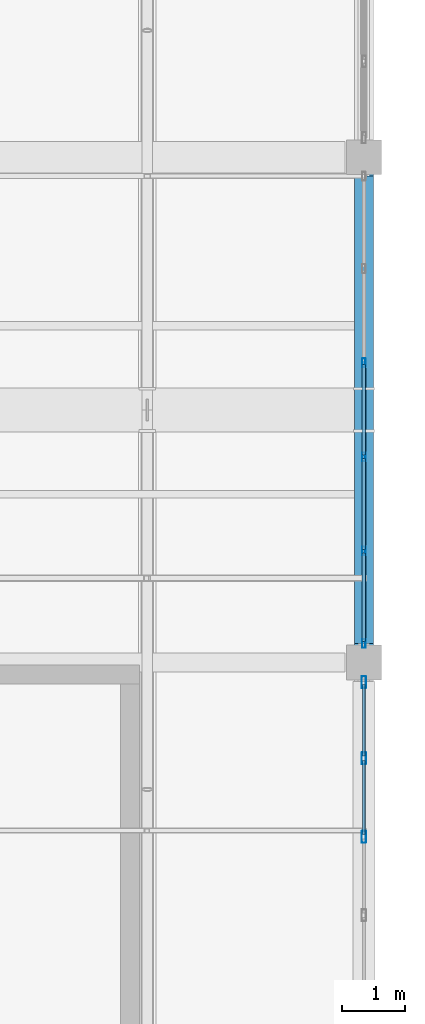
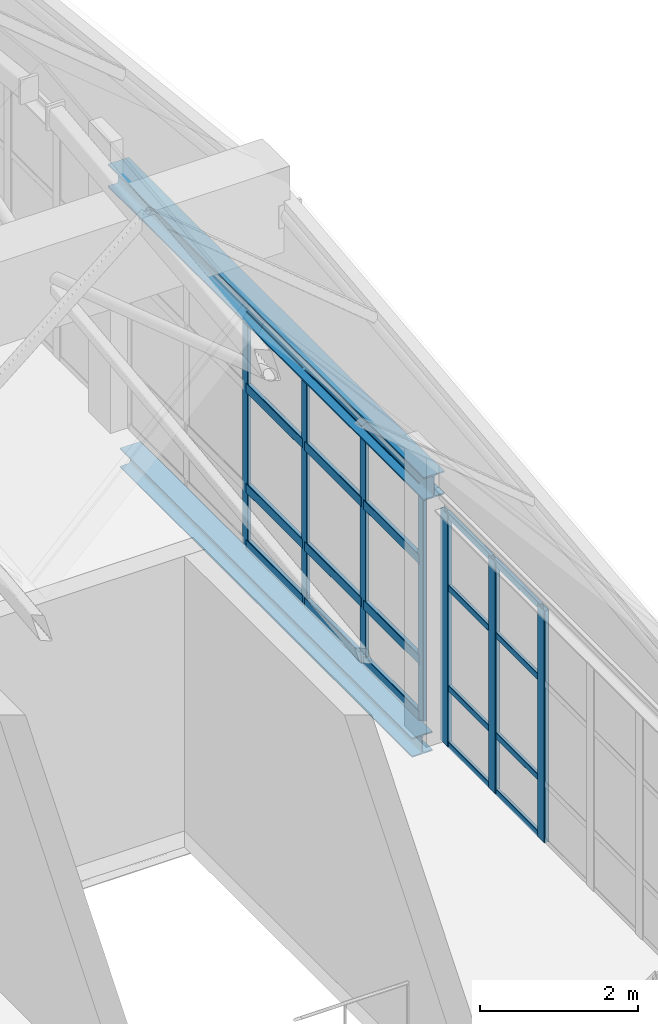
# One storey, part 87 of 183: 27 members, 2 beams, 2 elements without a shape of their own.
"""IFC4 building model written with IfcOpenShell, lengths in metres."""

import ifcopenshell
import ifcopenshell.guid

model = None  # the IFC model being written
_history = None  # IfcOwnerHistory: only IFC2X3 demands one
_inside = {}  # id of a spatial element -> (the spatial element, [elements in it])
_under = {}  # id of a project, library or spatial element -> (it, [spatial elements below it])
_declared = {}  # id of a project -> (the project, [libraries it declares])
_typed = {}  # id of a type object -> (the type object, [elements of that type])
_made_of = {}  # id of a material, layer set ... -> (it, [elements and type objects made of it])


def new_model(schema):
    """Start an empty IFC model of exactly this schema.

    Asked for "IFC4X3", IfcOpenShell would pick the latest addendum, in which some entities
    have other attributes; the version numbers below select the first issue.
    IFC2X3 requires an IfcOwnerHistory on every rooted entity: one is made here for all.
    """
    global model, _history
    if schema == "IFC4X3":
        model = ifcopenshell.file(schema_version=(4, 3, 0, 0))
    else:
        model = ifcopenshell.file(schema=schema)
    _inside.clear()
    _under.clear()
    _declared.clear()
    _typed.clear()
    _made_of.clear()
    _history = None
    if model.schema == "IFC2X3":
        org = make("IfcOrganization", Name="unknown")
        user = make(
            "IfcPersonAndOrganization",
            ThePerson=make("IfcPerson", FamilyName="unknown"),
            TheOrganization=org,
        )
        app = make(
            "IfcApplication",
            ApplicationDeveloper=org,
            Version="unknown",
            ApplicationFullName="unknown",
            ApplicationIdentifier="unknown",
        )
        _history = make(
            "IfcOwnerHistory",
            OwningUser=user,
            OwningApplication=app,
            ChangeAction="ADDED",
            CreationDate=0,
        )
    return model


def make(cls, **values):
    """One entity of the class cls with the attributes given. An attribute that is None is left unset."""
    return model.create_entity(
        cls, **{name: value for name, value in values.items() if value is not None}
    )


def rooted(cls, **values):
    """An entity with a GlobalId (a new one), such as an element, a storey or a relation."""
    return make(cls, GlobalId=ifcopenshell.guid.new(), OwnerHistory=_history, **values)


def si_unit(unit_type, name, prefix=None):
    """IfcSIUnit, for example si_unit("LENGTHUNIT", "METRE", prefix="MILLI")."""
    return make("IfcSIUnit", UnitType=unit_type, Prefix=prefix, Name=name)


def assignment(units):
    """IfcUnitAssignment: the units of a project."""
    return None if units is None else make("IfcUnitAssignment", Units=units)


def point(xyz):
    """IfcCartesianPoint."""
    return None if xyz is None else make("IfcCartesianPoint", Coordinates=xyz)


def direction(xyz):
    """IfcDirection."""
    return None if xyz is None else make("IfcDirection", DirectionRatios=xyz)


def frame(location, z_axis=None, x_axis=None):
    """IfcAxis2Placement3D, a coordinate frame: its origin and axes. An axis left out is left unset."""
    return make(
        "IfcAxis2Placement3D",
        Location=point(location),
        Axis=direction(z_axis),
        RefDirection=direction(x_axis),
    )


def frame_2d(location, x_axis=None):
    """IfcAxis2Placement2D, a coordinate frame in the plane: its origin and x axis."""
    return make(
        "IfcAxis2Placement2D", Location=point(location), RefDirection=direction(x_axis)
    )


def origin():
    """The frame at (0, 0, 0) with its axes left unset."""
    return frame((0.0, 0.0, 0.0))


def origin_2d():
    """The frame at (0, 0) in the plane with its x axis left unset."""
    return frame_2d((0.0, 0.0))


def place(relative_to, where):
    """IfcLocalPlacement: puts the frame where relative to a parent placement (None: the world)."""
    return make(
        "IfcLocalPlacement", PlacementRelTo=relative_to, RelativePlacement=where
    )


def context(
    kind, dimensions, precision=None, world=None, true_north=None, identifier=None
):
    """IfcGeometricRepresentationContext, for example the 3D "Model" context."""
    return make(
        "IfcGeometricRepresentationContext",
        ContextIdentifier=identifier,
        ContextType=kind,
        CoordinateSpaceDimension=dimensions,
        Precision=precision,
        WorldCoordinateSystem=world,
        TrueNorth=true_north,
    )


def subcontext(parent, identifier, kind, view, scale=None):
    """IfcGeometricRepresentationSubContext, for example "Body" below "Model"."""
    return make(
        "IfcGeometricRepresentationSubContext",
        ContextIdentifier=identifier,
        ContextType=kind,
        ParentContext=parent,
        TargetScale=scale,
        TargetView=view,
    )


def project(units=None, contexts=None):
    """IfcProject with its units and contexts."""
    return rooted(
        "IfcProject",
        Name="project",
        RepresentationContexts=contexts,
        UnitsInContext=assignment(units),
    )


def spatial(cls, under=None, at=None, **own):
    """A site, building, storey or space (cls), placed at a placement, below another one or the project."""
    s = rooted(cls, ObjectPlacement=at, **own)
    if under is not None:
        _under.setdefault(under.id(), (under, []))[1].append(s)
    return s


def profile(cls, at=None, kind="AREA", **sizes):
    """A parametric profile (cls). Its sizes go by their IFC names, for example OverallWidth=200.0."""
    return make(cls, ProfileType=kind, Position=at, **sizes)


def hollow_rectangle(**sizes):
    """IfcRectangleHollowProfileDef."""
    return profile("IfcRectangleHollowProfileDef", **sizes)


def i_section(**sizes):
    """IfcIShapeProfileDef."""
    return profile("IfcIShapeProfileDef", **sizes)


def extrude(swept, where, along, depth):
    """IfcExtrudedAreaSolid: the profile swept, set in the frame where, extruded along a direction by depth."""
    return make(
        "IfcExtrudedAreaSolid",
        SweptArea=swept,
        Position=where,
        ExtrudedDirection=direction(along),
        Depth=depth,
    )


def shape(context_of_items, identifier, shape_type, items):
    """IfcShapeRepresentation: the items that make up one representation, for example the "Body"."""
    return make(
        "IfcShapeRepresentation",
        ContextOfItems=context_of_items,
        RepresentationIdentifier=identifier,
        RepresentationType=shape_type,
        Items=items,
    )


def material(Name=None, Category=None):
    """IfcMaterial."""
    return make("IfcMaterial", Name=Name, Category=Category)


def material_profile(
    of_material, cross_section, Name=None, Category=None, Priority=None
):
    """IfcMaterialProfile: a cross section and its material."""
    return make(
        "IfcMaterialProfile",
        Name=Name,
        Material=of_material,
        Profile=cross_section,
        Priority=Priority,
        Category=Category,
    )


def profile_set(profiles, Name=None, composite=None):
    """IfcMaterialProfileSet."""
    return make(
        "IfcMaterialProfileSet",
        Name=Name,
        MaterialProfiles=profiles,
        CompositeProfile=composite,
    )


def made_of(thing, what):
    """Note that an element or type object is made of a material, layer set ...; save() writes the relation."""
    if what is not None:
        _made_of.setdefault(what.id(), (what, []))[1].append(thing)
    return thing


def type_object(cls, material=None, **own):
    """A type object (cls), such as IfcWallType, which elements share."""
    return made_of(rooted(cls, **own), material)


def element(
    cls,
    number,
    at=None,
    inside=None,
    cuts=None,
    type_object=None,
    material=None,
    context=None,
    identifier="Body",
    shape_type=None,
    held_by="IfcProductDefinitionShape",
    body=None,
    shapes=None,
    **own,
):
    """One element of the class cls, such as IfcWall. Its Tag is "e" and its number.

    at: its placement. inside: the storey or other place that contains it. cuts: it is an
    opening in that element (IfcRelVoidsElement). A single representation is given by context,
    identifier, shape_type and body (its items); several are given by shapes. held_by: the class
    of the entity that holds the representations. save() writes the other relations.
    """
    e = rooted(cls, Tag="e%d" % number, ObjectPlacement=at, **own)
    if body is not None:
        shapes = [shape(context, identifier, shape_type, body)]
    if shapes is not None:
        e.Representation = make(held_by, Representations=shapes)
    if inside is not None:
        _inside.setdefault(inside.id(), (inside, []))[1].append(e)
    if cuts is not None:
        rooted(
            "IfcRelVoidsElement", RelatingBuildingElement=cuts, RelatedOpeningElement=e
        )
    if type_object is not None:
        _typed.setdefault(type_object.id(), (type_object, []))[1].append(e)
    return made_of(e, material)


def aggregate(whole, parts):
    """IfcRelAggregates: a whole, such as a stair, and the parts it consists of."""
    return rooted("IfcRelAggregates", RelatingObject=whole, RelatedObjects=parts)


def save(model, path):
    """Write the relations noted so far, then the file.

    IfcRelAggregates (storeys below a building ...), IfcRelContainedInSpatialStructure (elements
    in a storey), IfcRelDefinesByType, IfcRelAssociatesMaterial and IfcRelDeclares: one each for
    every whole, place, type object, material and project.
    """
    for whole, parts in _under.values():
        aggregate(whole, parts)
    for where, things in _inside.values():
        rooted(
            "IfcRelContainedInSpatialStructure",
            RelatedElements=things,
            RelatingStructure=where,
        )
    for kind, things in _typed.values():
        rooted("IfcRelDefinesByType", RelatedObjects=things, RelatingType=kind)
    for what, things in _made_of.values():
        rooted("IfcRelAssociatesMaterial", RelatedObjects=things, RelatingMaterial=what)
    for by, libraries in _declared.values():
        rooted("IfcRelDeclares", RelatingContext=by, RelatedDefinitions=libraries)
    model.write(path)


model = new_model("IFC4")

# Units and contexts
model_context = context("Model", 3, precision=1e-05, world=origin(), true_north=direction((0.0, 1.0)))
body_context = subcontext(model_context, "Body", "Model", "MODEL_VIEW")
ifc_project = project(units=[si_unit("LENGTHUNIT", "METRE"), si_unit("AREAUNIT", "SQUARE_METRE"), si_unit("VOLUMEUNIT", "CUBIC_METRE"), si_unit("PLANEANGLEUNIT", "RADIAN"), si_unit("MASSUNIT", "GRAM", prefix="KILO")], contexts=[model_context])

# Site, building, storey
site_placement = place(None, origin())
site = spatial("IfcSite", under=ifc_project, at=site_placement, CompositionType="ELEMENT")
building_placement = place(site_placement, origin())
building = spatial("IfcBuilding", under=site, at=building_placement, Name="Luwemba Playhouse", CompositionType="ELEMENT")
storey_placement = place(building_placement, frame((0.0, 0.0, 4.800048828125)))
storey = spatial("IfcBuildingStorey", under=building, at=storey_placement, Name="L01", CompositionType="ELEMENT", Elevation=4.800048828125)

# Beams
ifc_material_1 = material(Name="Steel S355", Category="steel")
ifc_material_profile_1 = material_profile(ifc_material_1, i_section(OverallWidth=0.300048828125, OverallDepth=0.360107421875, WebThickness=0.012451171875, FlangeThickness=0.0224609375, FilletRadius=0.027099609375, at=origin_2d()))
ifc_profile_set_1 = profile_set([ifc_material_profile_1], Name="Steel S355")
beam_type_1 = type_object("IfcBeamType", Name="BM-SB09", PredefinedType="BEAM", material=ifc_profile_set_1)
beam_1_placement = place(storey_placement, frame((172.0, 11.0, 3.780029296875), z_axis=(0.0, 1.0, 0.0), x_axis=(-1.0, 0.0, 0.0)))
element("IfcBeam", 1, at=beam_1_placement, inside=storey, type_object=beam_type_1, Name="RF-V5E gable ring beam 0307", PredefinedType="BEAM", context=body_context, shape_type="SweptSolid", body=[
    extrude(i_section(OverallWidth=0.300048828125, OverallDepth=0.360107421875, WebThickness=0.012451171875, FlangeThickness=0.0224609375, FilletRadius=0.027099609375, at=origin_2d()), origin(), (0.0, 0.0, 1.0), 8.0),
])
ifc_material_profile_2 = material_profile(ifc_material_1, i_section(OverallWidth=0.300048828125, OverallDepth=0.300048828125, WebThickness=0.010986328125, FlangeThickness=0.01904296875, FilletRadius=0.027099609375, at=origin_2d()))
ifc_profile_set_2 = profile_set([ifc_material_profile_2], Name="Steel S355")
beam_type_2 = type_object("IfcBeamType", Name="BM-SSP1", PredefinedType="SPANDREL", material=ifc_profile_set_2)
beam_2_placement = place(storey_placement, frame((172.0, 11.300048828125, -0.400146484375), z_axis=(0.0, 1.0, 0.0), x_axis=(-1.0, 0.0, 0.0)))
element("IfcBeam", 2, at=beam_2_placement, inside=storey, type_object=beam_type_2, Name="L01 transverse girder 0562", PredefinedType="SPANDREL", context=body_context, shape_type="SweptSolid", body=[
    extrude(i_section(OverallWidth=0.300048828125, OverallDepth=0.300048828125, WebThickness=0.010986328125, FlangeThickness=0.01904296875, FilletRadius=0.027099609375, at=origin_2d()), origin(), (0.0, 0.0, 1.0), 7.39990234375),
])

# Curtain wall, members
ifc_material_2 = material(Name="Solar-control double glazing", Category="glass")
curtain_wall_type_1 = type_object("IfcCurtainWallType", Name="CW-CW130", PredefinedType="USERDEFINED", material=ifc_material_2)
curtain_wall_1_placement = place(storey_placement, origin())
curtain_wall_1 = element("IfcCurtainWall", 3, at=curtain_wall_1_placement, inside=storey, type_object=curtain_wall_type_1, Name="L01 V5E unitised curtain wall 168", ObjectType="UNITISED GLAZING", PredefinedType="USERDEFINED")
ifc_material_3 = material(Name="Aluminium 6063-T6", Category="aluminium")
ifc_material_profile_3 = material_profile(ifc_material_3, hollow_rectangle(XDim=0.054931640625, YDim=0.139892578125, WallThickness=0.00390625, InnerFilletRadius=0.006103515625, OuterFilletRadius=0.010009765625, at=origin_2d()))
ifc_profile_set_3 = profile_set([ifc_material_profile_3], Name="Aluminium 6063-T6")
member_type_1 = type_object("IfcMemberType", Name="CWM-M3", PredefinedType="MULLION", material=ifc_profile_set_3)
member_1_placement = place(storey_placement, frame((172.0, 15.7451171875, 0.0), z_axis=(0.0, 0.0, 1.0), x_axis=(1.0, 0.0, 0.0)))
member_1 = element("IfcMember", 4, at=member_1_placement, type_object=member_type_1, Name="CW130 mullion 3", PredefinedType="MULLION", context=body_context, shape_type="SweptSolid", body=[
    extrude(hollow_rectangle(XDim=0.054931640625, YDim=0.139892578125, WallThickness=0.00390625, InnerFilletRadius=0.006103515625, OuterFilletRadius=0.010009765625, at=origin_2d()), origin(), (0.0, 0.0, 1.0), 3.5849609375),
])
member_2_placement = place(storey_placement, frame((172.0, 14.2548828125, 0.0), z_axis=(0.0, 0.0, 1.0), x_axis=(1.0, 0.0, 0.0)))
member_2 = element("IfcMember", 5, at=member_2_placement, type_object=member_type_1, Name="CW130 mullion 4", PredefinedType="MULLION", context=body_context, shape_type="SweptSolid", body=[
    extrude(hollow_rectangle(XDim=0.054931640625, YDim=0.139892578125, WallThickness=0.00390625, InnerFilletRadius=0.006103515625, OuterFilletRadius=0.010009765625, at=origin_2d()), origin(), (0.0, 0.0, 1.0), 3.5849609375),
])
member_3_placement = place(storey_placement, frame((172.0, 12.764892578125, 0.0), z_axis=(0.0, 0.0, 1.0), x_axis=(1.0, 0.0, 0.0)))
member_3 = element("IfcMember", 6, at=member_3_placement, type_object=member_type_1, Name="CW130 mullion 5", PredefinedType="MULLION", context=body_context, shape_type="SweptSolid", body=[
    extrude(hollow_rectangle(XDim=0.054931640625, YDim=0.139892578125, WallThickness=0.00390625, InnerFilletRadius=0.006103515625, OuterFilletRadius=0.010009765625, at=origin_2d()), origin(), (0.0, 0.0, 1.0), 3.5849609375),
])
member_4_placement = place(storey_placement, frame((172.0, 11.302490234375, 0.0), z_axis=(0.0, 0.0, 1.0), x_axis=(1.0, 0.0, 0.0)))
member_4 = element("IfcMember", 7, at=member_4_placement, type_object=member_type_1, Name="CW130 mullion 6", PredefinedType="MULLION", context=body_context, shape_type="SweptSolid", body=[
    extrude(hollow_rectangle(XDim=0.054931640625, YDim=0.139892578125, WallThickness=0.00390625, InnerFilletRadius=0.006103515625, OuterFilletRadius=0.010009765625, at=origin_2d()), origin(), (0.0, 0.0, 1.0), 3.5849609375),
])

curtain_wall_type_2 = type_object("IfcCurtainWallType", Name="CW-CW131", PredefinedType="USERDEFINED", material=ifc_material_2)
curtain_wall_2_placement = place(storey_placement, origin())
curtain_wall_2 = element("IfcCurtainWall", 8, at=curtain_wall_2_placement, inside=storey, type_object=curtain_wall_type_2, Name="L01 V5E unitised curtain wall 169", ObjectType="UNITISED GLAZING", PredefinedType="USERDEFINED")
ifc_material_profile_4 = material_profile(ifc_material_3, hollow_rectangle(XDim=0.070068359375, YDim=0.18994140625, WallThickness=0.0048828125, InnerFilletRadius=0.007568359375, OuterFilletRadius=0.012451171875, at=origin_2d()))
ifc_profile_set_4 = profile_set([ifc_material_profile_4], Name="Aluminium 6063-T6")
member_type_2 = type_object("IfcMemberType", Name="CWM-M4", PredefinedType="MULLION", material=ifc_profile_set_4)
member_5_placement = place(storey_placement, frame((172.0, 10.68994140625, 0.0), z_axis=(0.0, 0.0, 1.0), x_axis=(1.0, 0.0, 0.0)))
member_5 = element("IfcMember", 9, at=member_5_placement, type_object=member_type_2, Name="CW131 mullion 1", PredefinedType="MULLION", context=body_context, shape_type="SweptSolid", body=[
    extrude(hollow_rectangle(XDim=0.070068359375, YDim=0.18994140625, WallThickness=0.0048828125, InnerFilletRadius=0.007568359375, OuterFilletRadius=0.012451171875, at=origin_2d()), origin(), (0.0, 0.0, 1.0), 3.5849609375),
])
member_6_placement = place(storey_placement, frame((172.0, 9.4833984375, 0.0), z_axis=(0.0, 0.0, 1.0), x_axis=(1.0, 0.0, 0.0)))
member_6 = element("IfcMember", 10, at=member_6_placement, type_object=member_type_2, Name="CW131 mullion 2", PredefinedType="MULLION", context=body_context, shape_type="SweptSolid", body=[
    extrude(hollow_rectangle(XDim=0.070068359375, YDim=0.18994140625, WallThickness=0.0048828125, InnerFilletRadius=0.007568359375, OuterFilletRadius=0.012451171875, at=origin_2d()), origin(), (0.0, 0.0, 1.0), 3.5849609375),
])
member_7_placement = place(storey_placement, frame((172.0, 8.24169921875, 0.0), z_axis=(0.0, 0.0, 1.0), x_axis=(1.0, 0.0, 0.0)))
member_7 = element("IfcMember", 11, at=member_7_placement, type_object=member_type_2, Name="CW131 mullion 3", PredefinedType="MULLION", context=body_context, shape_type="SweptSolid", body=[
    extrude(hollow_rectangle(XDim=0.070068359375, YDim=0.18994140625, WallThickness=0.0048828125, InnerFilletRadius=0.007568359375, OuterFilletRadius=0.012451171875, at=origin_2d()), origin(), (0.0, 0.0, 1.0), 3.5849609375),
])

# Member
ifc_material_profile_5 = material_profile(ifc_material_3, hollow_rectangle(XDim=0.06494140625, YDim=0.14990234375, WallThickness=0.00390625, InnerFilletRadius=0.006103515625, OuterFilletRadius=0.010009765625, at=origin_2d()))
ifc_profile_set_5 = profile_set([ifc_material_profile_5], Name="Aluminium 6063-T6")
member_type_3 = type_object("IfcMemberType", Name="CWT-T3", PredefinedType="USERDEFINED", material=ifc_profile_set_5)
member_8_placement = place(storey_placement, frame((172.0, 15.717529296875, 0.032470703125), z_axis=(0.0, -1.0, 0.0), x_axis=(1.0, 0.0, 0.0)))
member_8 = element("IfcMember", 12, at=member_8_placement, type_object=member_type_3, Name="CW130 transom 3.1", ObjectType="TRANSOM", PredefinedType="USERDEFINED", context=body_context, shape_type="SweptSolid", body=[
    extrude(hollow_rectangle(XDim=0.06494140625, YDim=0.14990234375, WallThickness=0.00390625, InnerFilletRadius=0.006103515625, OuterFilletRadius=0.010009765625, at=origin_2d()), origin(), (0.0, 0.0, 1.0), 1.43505859375),
])

member_9_placement = place(storey_placement, frame((172.0, 15.717529296875, 0.89990234375), z_axis=(0.0, -1.0, 0.0), x_axis=(1.0, 0.0, 0.0)))
member_9 = element("IfcMember", 13, at=member_9_placement, type_object=member_type_3, Name="CW130 transom 3.2", ObjectType="TRANSOM", PredefinedType="USERDEFINED", context=body_context, shape_type="SweptSolid", body=[
    extrude(hollow_rectangle(XDim=0.06494140625, YDim=0.14990234375, WallThickness=0.00390625, InnerFilletRadius=0.006103515625, OuterFilletRadius=0.010009765625, at=origin_2d()), origin(), (0.0, 0.0, 1.0), 1.43505859375),
])

member_10_placement = place(storey_placement, frame((172.0, 15.717529296875, 2.449951171875), z_axis=(0.0, -1.0, 0.0), x_axis=(1.0, 0.0, 0.0)))
member_10 = element("IfcMember", 14, at=member_10_placement, type_object=member_type_3, Name="CW130 transom 3.3", ObjectType="TRANSOM", PredefinedType="USERDEFINED", context=body_context, shape_type="SweptSolid", body=[
    extrude(hollow_rectangle(XDim=0.06494140625, YDim=0.14990234375, WallThickness=0.00390625, InnerFilletRadius=0.006103515625, OuterFilletRadius=0.010009765625, at=origin_2d()), origin(), (0.0, 0.0, 1.0), 1.43505859375),
])

member_11_placement = place(storey_placement, frame((172.0, 15.717529296875, 3.552490234375), z_axis=(0.0, -1.0, 0.0), x_axis=(1.0, 0.0, 0.0)))
member_11 = element("IfcMember", 15, at=member_11_placement, type_object=member_type_3, Name="CW130 transom 3.4", ObjectType="TRANSOM", PredefinedType="USERDEFINED", context=body_context, shape_type="SweptSolid", body=[
    extrude(hollow_rectangle(XDim=0.06494140625, YDim=0.14990234375, WallThickness=0.00390625, InnerFilletRadius=0.006103515625, OuterFilletRadius=0.010009765625, at=origin_2d()), origin(), (0.0, 0.0, 1.0), 1.43505859375),
])

member_12_placement = place(storey_placement, frame((172.0, 14.2275390625, 0.032470703125), z_axis=(0.0, -1.0, 0.0), x_axis=(1.0, 0.0, 0.0)))
member_12 = element("IfcMember", 16, at=member_12_placement, type_object=member_type_3, Name="CW130 transom 4.1", ObjectType="TRANSOM", PredefinedType="USERDEFINED", context=body_context, shape_type="SweptSolid", body=[
    extrude(hollow_rectangle(XDim=0.06494140625, YDim=0.14990234375, WallThickness=0.00390625, InnerFilletRadius=0.006103515625, OuterFilletRadius=0.010009765625, at=origin_2d()), origin(), (0.0, 0.0, 1.0), 1.43505859375),
])

member_13_placement = place(storey_placement, frame((172.0, 14.2275390625, 0.89990234375), z_axis=(0.0, -1.0, 0.0), x_axis=(1.0, 0.0, 0.0)))
member_13 = element("IfcMember", 17, at=member_13_placement, type_object=member_type_3, Name="CW130 transom 4.2", ObjectType="TRANSOM", PredefinedType="USERDEFINED", context=body_context, shape_type="SweptSolid", body=[
    extrude(hollow_rectangle(XDim=0.06494140625, YDim=0.14990234375, WallThickness=0.00390625, InnerFilletRadius=0.006103515625, OuterFilletRadius=0.010009765625, at=origin_2d()), origin(), (0.0, 0.0, 1.0), 1.43505859375),
])

member_14_placement = place(storey_placement, frame((172.0, 14.2275390625, 2.449951171875), z_axis=(0.0, -1.0, 0.0), x_axis=(1.0, 0.0, 0.0)))
member_14 = element("IfcMember", 18, at=member_14_placement, type_object=member_type_3, Name="CW130 transom 4.3", ObjectType="TRANSOM", PredefinedType="USERDEFINED", context=body_context, shape_type="SweptSolid", body=[
    extrude(hollow_rectangle(XDim=0.06494140625, YDim=0.14990234375, WallThickness=0.00390625, InnerFilletRadius=0.006103515625, OuterFilletRadius=0.010009765625, at=origin_2d()), origin(), (0.0, 0.0, 1.0), 1.43505859375),
])

member_15_placement = place(storey_placement, frame((172.0, 14.2275390625, 3.552490234375), z_axis=(0.0, -1.0, 0.0), x_axis=(1.0, 0.0, 0.0)))
member_15 = element("IfcMember", 19, at=member_15_placement, type_object=member_type_3, Name="CW130 transom 4.4", ObjectType="TRANSOM", PredefinedType="USERDEFINED", context=body_context, shape_type="SweptSolid", body=[
    extrude(hollow_rectangle(XDim=0.06494140625, YDim=0.14990234375, WallThickness=0.00390625, InnerFilletRadius=0.006103515625, OuterFilletRadius=0.010009765625, at=origin_2d()), origin(), (0.0, 0.0, 1.0), 1.43505859375),
])

member_16_placement = place(storey_placement, frame((172.0, 12.737548828125, 0.032470703125), z_axis=(0.0, -1.0, 0.0), x_axis=(1.0, 0.0, 0.0)))
member_16 = element("IfcMember", 20, at=member_16_placement, type_object=member_type_3, Name="CW130 transom 5.1", ObjectType="TRANSOM", PredefinedType="USERDEFINED", context=body_context, shape_type="SweptSolid", body=[
    extrude(hollow_rectangle(XDim=0.06494140625, YDim=0.14990234375, WallThickness=0.00390625, InnerFilletRadius=0.006103515625, OuterFilletRadius=0.010009765625, at=origin_2d()), origin(), (0.0, 0.0, 1.0), 1.407470703125),
])

member_17_placement = place(storey_placement, frame((172.0, 12.737548828125, 0.89990234375), z_axis=(0.0, -1.0, 0.0), x_axis=(1.0, 0.0, 0.0)))
member_17 = element("IfcMember", 21, at=member_17_placement, type_object=member_type_3, Name="CW130 transom 5.2", ObjectType="TRANSOM", PredefinedType="USERDEFINED", context=body_context, shape_type="SweptSolid", body=[
    extrude(hollow_rectangle(XDim=0.06494140625, YDim=0.14990234375, WallThickness=0.00390625, InnerFilletRadius=0.006103515625, OuterFilletRadius=0.010009765625, at=origin_2d()), origin(), (0.0, 0.0, 1.0), 1.407470703125),
])

member_18_placement = place(storey_placement, frame((172.0, 12.737548828125, 2.449951171875), z_axis=(0.0, -1.0, 0.0), x_axis=(1.0, 0.0, 0.0)))
member_18 = element("IfcMember", 22, at=member_18_placement, type_object=member_type_3, Name="CW130 transom 5.3", ObjectType="TRANSOM", PredefinedType="USERDEFINED", context=body_context, shape_type="SweptSolid", body=[
    extrude(hollow_rectangle(XDim=0.06494140625, YDim=0.14990234375, WallThickness=0.00390625, InnerFilletRadius=0.006103515625, OuterFilletRadius=0.010009765625, at=origin_2d()), origin(), (0.0, 0.0, 1.0), 1.407470703125),
])

member_19_placement = place(storey_placement, frame((172.0, 12.737548828125, 3.552490234375), z_axis=(0.0, -1.0, 0.0), x_axis=(1.0, 0.0, 0.0)))
member_19 = element("IfcMember", 23, at=member_19_placement, type_object=member_type_3, Name="CW130 transom 5.4", ObjectType="TRANSOM", PredefinedType="USERDEFINED", context=body_context, shape_type="SweptSolid", body=[
    extrude(hollow_rectangle(XDim=0.06494140625, YDim=0.14990234375, WallThickness=0.00390625, InnerFilletRadius=0.006103515625, OuterFilletRadius=0.010009765625, at=origin_2d()), origin(), (0.0, 0.0, 1.0), 1.407470703125),
])

aggregate(curtain_wall_1, [member_1, member_2, member_3, member_4, member_8, member_9, member_10, member_11, member_12, member_13, member_14, member_15, member_16, member_17, member_18, member_19])

ifc_material_profile_6 = material_profile(ifc_material_3, hollow_rectangle(XDim=0.050048828125, YDim=0.10009765625, WallThickness=0.00341796875, InnerFilletRadius=0.00537109375, OuterFilletRadius=0.0087890625, at=origin_2d()))
ifc_profile_set_6 = profile_set([ifc_material_profile_6], Name="Aluminium 6063-T6")
member_type_4 = type_object("IfcMemberType", Name="CWT-T4", PredefinedType="USERDEFINED", material=ifc_profile_set_6)
member_20_placement = place(storey_placement, frame((172.0, 10.655029296875, 0.02490234375), z_axis=(0.0, -1.0, 0.0), x_axis=(1.0, 0.0, 0.0)))
member_20 = element("IfcMember", 24, at=member_20_placement, type_object=member_type_4, Name="CW131 transom 1.1", ObjectType="TRANSOM", PredefinedType="USERDEFINED", context=body_context, shape_type="SweptSolid", body=[
    extrude(hollow_rectangle(XDim=0.050048828125, YDim=0.10009765625, WallThickness=0.00341796875, InnerFilletRadius=0.00537109375, OuterFilletRadius=0.0087890625, at=origin_2d()), origin(), (0.0, 0.0, 1.0), 1.13671875),
])

member_21_placement = place(storey_placement, frame((172.0, 10.655029296875, 0.89990234375), z_axis=(0.0, -1.0, 0.0), x_axis=(1.0, 0.0, 0.0)))
member_21 = element("IfcMember", 25, at=member_21_placement, type_object=member_type_4, Name="CW131 transom 1.2", ObjectType="TRANSOM", PredefinedType="USERDEFINED", context=body_context, shape_type="SweptSolid", body=[
    extrude(hollow_rectangle(XDim=0.050048828125, YDim=0.10009765625, WallThickness=0.00341796875, InnerFilletRadius=0.00537109375, OuterFilletRadius=0.0087890625, at=origin_2d()), origin(), (0.0, 0.0, 1.0), 1.13671875),
])

member_22_placement = place(storey_placement, frame((172.0, 10.655029296875, 2.449951171875), z_axis=(0.0, -1.0, 0.0), x_axis=(1.0, 0.0, 0.0)))
member_22 = element("IfcMember", 26, at=member_22_placement, type_object=member_type_4, Name="CW131 transom 1.3", ObjectType="TRANSOM", PredefinedType="USERDEFINED", context=body_context, shape_type="SweptSolid", body=[
    extrude(hollow_rectangle(XDim=0.050048828125, YDim=0.10009765625, WallThickness=0.00341796875, InnerFilletRadius=0.00537109375, OuterFilletRadius=0.0087890625, at=origin_2d()), origin(), (0.0, 0.0, 1.0), 1.13671875),
])

member_23_placement = place(storey_placement, frame((172.0, 10.655029296875, 3.56005859375), z_axis=(0.0, -1.0, 0.0), x_axis=(1.0, 0.0, 0.0)))
member_23 = element("IfcMember", 27, at=member_23_placement, type_object=member_type_4, Name="CW131 transom 1.4", ObjectType="TRANSOM", PredefinedType="USERDEFINED", context=body_context, shape_type="SweptSolid", body=[
    extrude(hollow_rectangle(XDim=0.050048828125, YDim=0.10009765625, WallThickness=0.00341796875, InnerFilletRadius=0.00537109375, OuterFilletRadius=0.0087890625, at=origin_2d()), origin(), (0.0, 0.0, 1.0), 1.13671875),
])

member_24_placement = place(storey_placement, frame((172.0, 9.4482421875, 0.02490234375), z_axis=(0.0, -1.0, 0.0), x_axis=(1.0, 0.0, 0.0)))
member_24 = element("IfcMember", 28, at=member_24_placement, type_object=member_type_4, Name="CW131 transom 2.1", ObjectType="TRANSOM", PredefinedType="USERDEFINED", context=body_context, shape_type="SweptSolid", body=[
    extrude(hollow_rectangle(XDim=0.050048828125, YDim=0.10009765625, WallThickness=0.00341796875, InnerFilletRadius=0.00537109375, OuterFilletRadius=0.0087890625, at=origin_2d()), origin(), (0.0, 0.0, 1.0), 1.171630859375),
])

member_25_placement = place(storey_placement, frame((172.0, 9.4482421875, 0.89990234375), z_axis=(0.0, -1.0, 0.0), x_axis=(1.0, 0.0, 0.0)))
member_25 = element("IfcMember", 29, at=member_25_placement, type_object=member_type_4, Name="CW131 transom 2.2", ObjectType="TRANSOM", PredefinedType="USERDEFINED", context=body_context, shape_type="SweptSolid", body=[
    extrude(hollow_rectangle(XDim=0.050048828125, YDim=0.10009765625, WallThickness=0.00341796875, InnerFilletRadius=0.00537109375, OuterFilletRadius=0.0087890625, at=origin_2d()), origin(), (0.0, 0.0, 1.0), 1.171630859375),
])

member_26_placement = place(storey_placement, frame((172.0, 9.4482421875, 2.449951171875), z_axis=(0.0, -1.0, 0.0), x_axis=(1.0, 0.0, 0.0)))
member_26 = element("IfcMember", 30, at=member_26_placement, type_object=member_type_4, Name="CW131 transom 2.3", ObjectType="TRANSOM", PredefinedType="USERDEFINED", context=body_context, shape_type="SweptSolid", body=[
    extrude(hollow_rectangle(XDim=0.050048828125, YDim=0.10009765625, WallThickness=0.00341796875, InnerFilletRadius=0.00537109375, OuterFilletRadius=0.0087890625, at=origin_2d()), origin(), (0.0, 0.0, 1.0), 1.171630859375),
])

member_27_placement = place(storey_placement, frame((172.0, 9.4482421875, 3.56005859375), z_axis=(0.0, -1.0, 0.0), x_axis=(1.0, 0.0, 0.0)))
member_27 = element("IfcMember", 31, at=member_27_placement, type_object=member_type_4, Name="CW131 transom 2.4", ObjectType="TRANSOM", PredefinedType="USERDEFINED", context=body_context, shape_type="SweptSolid", body=[
    extrude(hollow_rectangle(XDim=0.050048828125, YDim=0.10009765625, WallThickness=0.00341796875, InnerFilletRadius=0.00537109375, OuterFilletRadius=0.0087890625, at=origin_2d()), origin(), (0.0, 0.0, 1.0), 1.171630859375),
])

aggregate(curtain_wall_2, [member_5, member_6, member_7, member_20, member_21, member_22, member_23, member_24, member_25, member_26, member_27])

save(model, "model.ifc")
